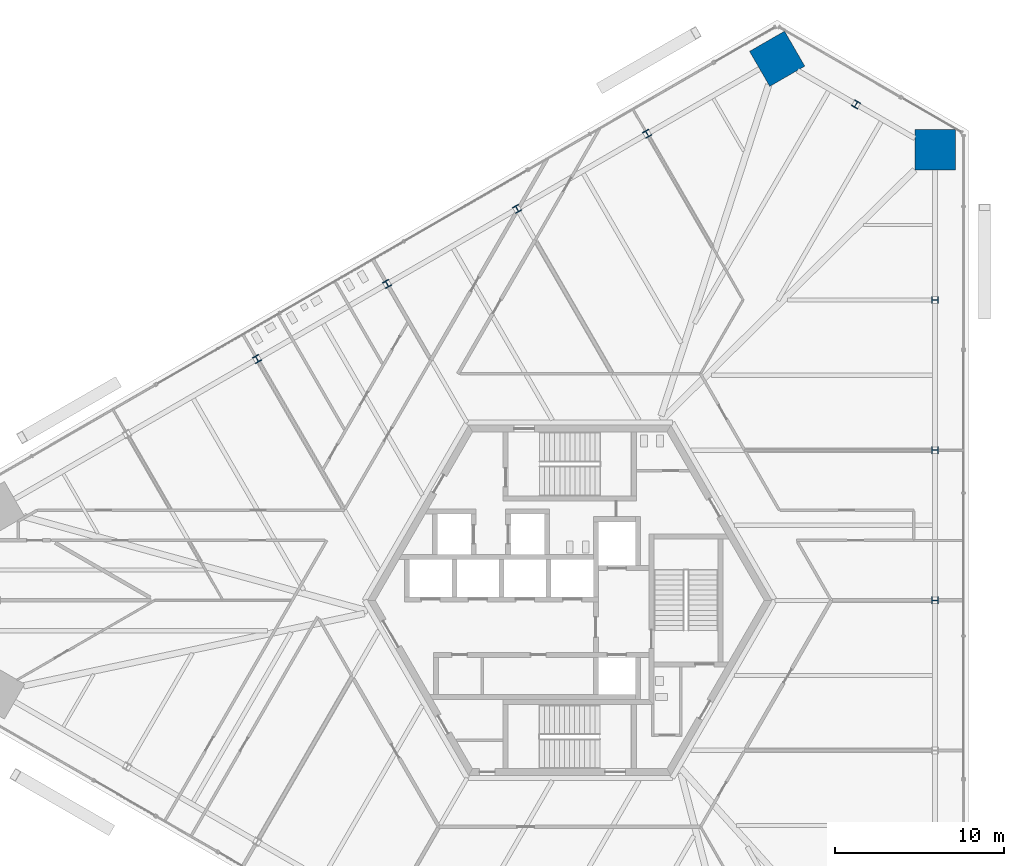
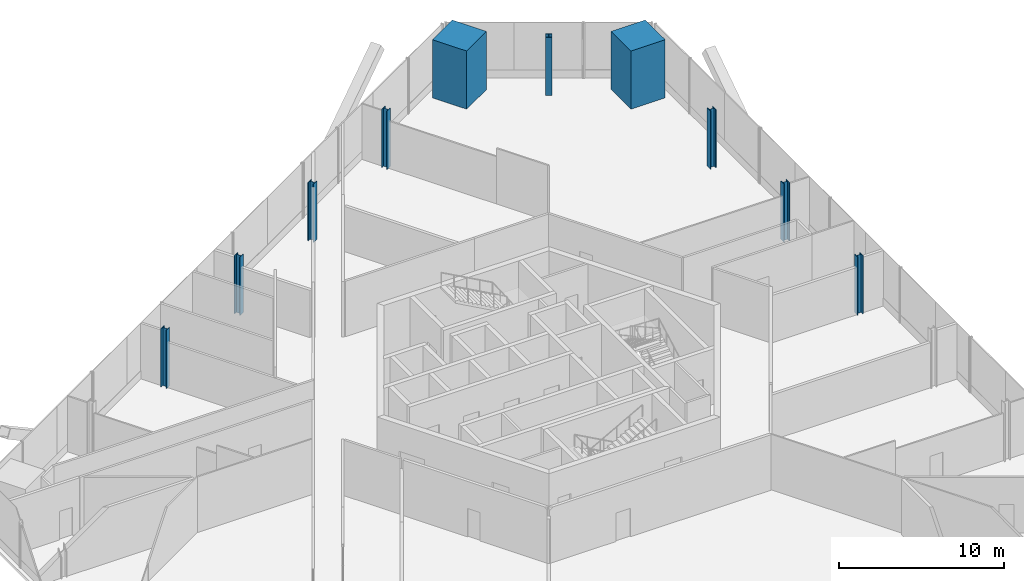
# One storey, part 2 of 17: 10 columns.
"""IFC4 building model written with IfcOpenShell, lengths in metres."""

from ifc_helpers import new_model, si_unit, direction, frame, origin, origin_2d, place, context, subcontext, project, spatial, rectangle, i_section, extrude, source, transform, mapped, material, material_profile, profile_set, type_object, element, save


model = new_model("IFC4")

# Units and contexts
model_context = context("Model", 3, precision=1e-05, world=origin(), true_north=direction((0.0, 1.0)))
body_context = subcontext(model_context, "Body", "Model", "MODEL_VIEW")
ifc_project = project(units=[si_unit("LENGTHUNIT", "METRE"), si_unit("AREAUNIT", "SQUARE_METRE"), si_unit("VOLUMEUNIT", "CUBIC_METRE"), si_unit("PLANEANGLEUNIT", "RADIAN"), si_unit("MASSUNIT", "GRAM", prefix="KILO")], contexts=[model_context])

# Site, building, storey
site_placement = place(None, origin())
site = spatial("IfcSite", under=ifc_project, at=site_placement, CompositionType="ELEMENT")
building_placement = place(site_placement, origin())
building = spatial("IfcBuilding", under=site, at=building_placement, Name="Triune Harvest Tower", CompositionType="ELEMENT")
storey_placement = place(building_placement, frame((0.0, 0.0, 46.10009765625)))
storey = spatial("IfcBuildingStorey", under=building, at=storey_placement, Name="L10", CompositionType="ELEMENT", Elevation=46.10009765625)

# Columns
ifc_material_1 = material(Name="Concrete 70 MPa", Category="concrete")
ifc_material_profile_1 = material_profile(ifc_material_1, rectangle(XDim=2.39990234375, YDim=2.39990234375, at=origin_2d()), Name="Composite 2400x2400")
ifc_profile_set_1 = profile_set([ifc_material_profile_1], Name="Concrete 70 MPa")
column_type_1 = type_object("IfcColumnType", Name="MC-1 Mega column Composite 2400x2400", PredefinedType="COLUMN", material=ifc_profile_set_1)
shared_shape_1 = source(origin(), body_context, "Body", "SweptSolid", [
    extrude(rectangle(XDim=2.39990234375, YDim=2.39990234375, at=origin_2d()), origin(), (0.0, 0.0, 1.0), 4.2998046875),
])
for number, where, z_axis, x_axis, name in (
    (1, (21.679443359375, 26.72998046875, 0.0), (0.0, 0.0, 1.0), (0.0, 1.0, 0.0), "col/L10/M6"),
    (2, (12.30908203125, 32.139892578125, 0.0), (0.0, 0.0, 1.0), (-0.866025403784, -0.5, 0.0), "col/L10/M8"),
):
    element("IfcColumn", number, at=place(storey_placement, frame(where, z_axis=z_axis, x_axis=x_axis)), inside=storey, type_object=column_type_1, Name=name, PredefinedType="COLUMN", context=body_context, shape_type="MappedRepresentation", body=[
        mapped(shared_shape_1, transform((0.0, 0.0, 0.0), scale=1.0)),
    ])
ifc_material_2 = material(Name="Steel ASTM A992 Gr 50", Category="steel")
ifc_material_profile_2 = material_profile(ifc_material_2, i_section(OverallWidth=0.40380859375, OverallDepth=0.406494140625, WebThickness=0.027099609375, FlangeThickness=0.043701171875, at=origin_2d()), Name="W14x233")
ifc_profile_set_2 = profile_set([ifc_material_profile_2], Name="Steel ASTM A992 Gr 50")
column_type_2 = type_object("IfcColumnType", Name="PC-1 Perimeter column W14x233", PredefinedType="COLUMN", material=ifc_profile_set_2)
shared_shape_2 = source(origin(), body_context, "Body", "SweptSolid", [
    extrude(i_section(OverallWidth=0.40380859375, OverallDepth=0.406494140625, WebThickness=0.027099609375, FlangeThickness=0.043701171875, at=origin_2d()), origin(), (0.0, 0.0, 1.0), 4.2998046875),
])
for number, where, z_axis, x_axis, name in (
    (3, (21.679443359375, 0.0, 0.0), (0.0, 0.0, 1.0), (0.0, 1.0, 0.0), "col/L10/P3"),
    (4, (21.679443359375, 8.909912109375, 0.0), (0.0, 0.0, 1.0), (0.0, 1.0, 0.0), "col/L10/P4"),
    (5, (21.679443359375, 17.820068359375, 0.0), (0.0, 0.0, 1.0), (0.0, 1.0, 0.0), "col/L10/P5"),
    (6, (16.994384765625, 29.43505859375, 0.0), (0.0, 0.0, 1.0), (-0.866026276448, 0.4999984885, 0.0), "col/L10/P7"),
    (7, (4.5927734375, 27.68505859375, 0.0), (0.0, 0.0, 1.0), (-0.866025403784, -0.5, 0.0), "col/L10/P9"),
    (8, (-3.12353515625, 23.22998046875, 0.0), (0.0, 0.0, 1.0), (-0.866025403784, -0.5, 0.0), "col/L10/P10"),
    (9, (-10.839599609375, 18.77490234375, 0.0), (0.0, 0.0, 1.0), (-0.866025403784, -0.5, 0.0), "col/L10/P11"),
    (10, (-18.555908203125, 14.320068359375, 0.0), (0.0, 0.0, 1.0), (-0.866025403784, -0.5, 0.0), "col/L10/P12"),
):
    element("IfcColumn", number, at=place(storey_placement, frame(where, z_axis=z_axis, x_axis=x_axis)), inside=storey, type_object=column_type_2, Name=name, PredefinedType="COLUMN", context=body_context, shape_type="MappedRepresentation", body=[
        mapped(shared_shape_2, transform((0.0, 0.0, 0.0), scale=1.0)),
    ])

save(model, "model.ifc")
